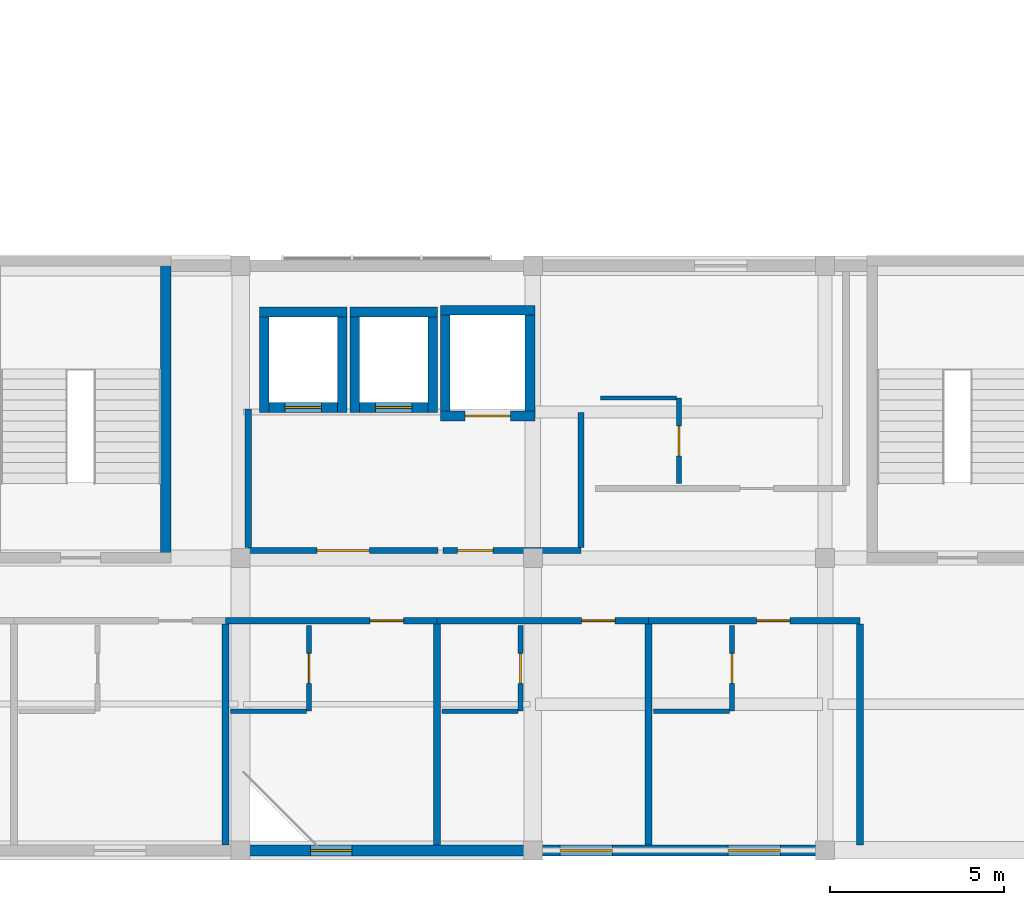
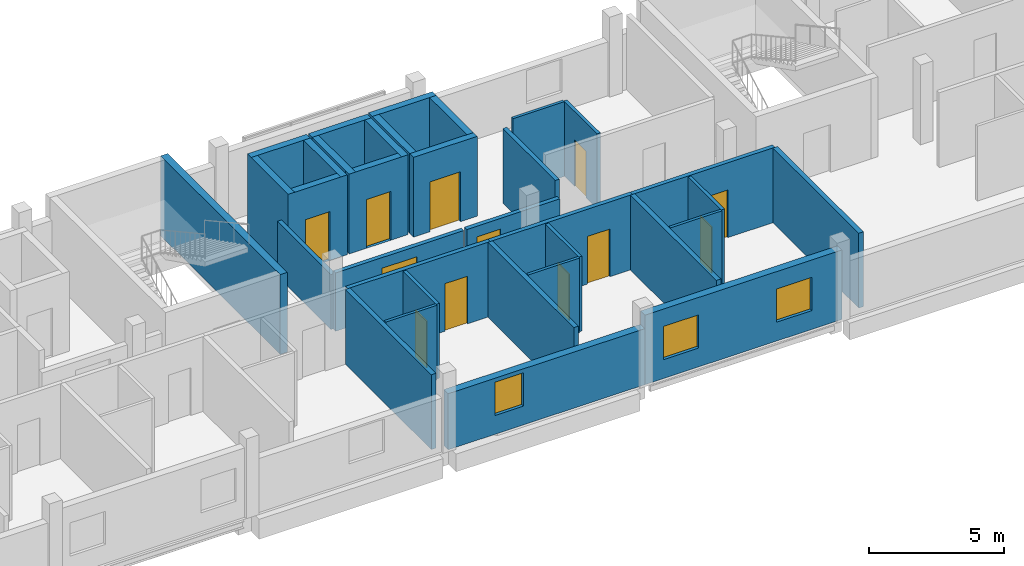
# One storey, part 15 of 20: 34 walls, 12 doors, 3 windows, 15 openings.
"""IFC4 building model written with IfcOpenShell, lengths in metres."""

import ifcopenshell
import ifcopenshell.guid

model = None  # the IFC model being written
_history = None  # IfcOwnerHistory: only IFC2X3 demands one
_inside = {}  # id of a spatial element -> (the spatial element, [elements in it])
_under = {}  # id of a project, library or spatial element -> (it, [spatial elements below it])
_declared = {}  # id of a project -> (the project, [libraries it declares])
_typed = {}  # id of a type object -> (the type object, [elements of that type])
_made_of = {}  # id of a material, layer set ... -> (it, [elements and type objects made of it])


def new_model(schema):
    """Start an empty IFC model of exactly this schema.

    Asked for "IFC4X3", IfcOpenShell would pick the latest addendum, in which some entities
    have other attributes; the version numbers below select the first issue.
    IFC2X3 requires an IfcOwnerHistory on every rooted entity: one is made here for all.
    """
    global model, _history
    if schema == "IFC4X3":
        model = ifcopenshell.file(schema_version=(4, 3, 0, 0))
    else:
        model = ifcopenshell.file(schema=schema)
    _inside.clear()
    _under.clear()
    _declared.clear()
    _typed.clear()
    _made_of.clear()
    _history = None
    if model.schema == "IFC2X3":
        org = make("IfcOrganization", Name="unknown")
        user = make(
            "IfcPersonAndOrganization",
            ThePerson=make("IfcPerson", FamilyName="unknown"),
            TheOrganization=org,
        )
        app = make(
            "IfcApplication",
            ApplicationDeveloper=org,
            Version="unknown",
            ApplicationFullName="unknown",
            ApplicationIdentifier="unknown",
        )
        _history = make(
            "IfcOwnerHistory",
            OwningUser=user,
            OwningApplication=app,
            ChangeAction="ADDED",
            CreationDate=0,
        )
    return model


def make(cls, **values):
    """One entity of the class cls with the attributes given. An attribute that is None is left unset."""
    return model.create_entity(
        cls, **{name: value for name, value in values.items() if value is not None}
    )


def rooted(cls, **values):
    """An entity with a GlobalId (a new one), such as an element, a storey or a relation."""
    return make(cls, GlobalId=ifcopenshell.guid.new(), OwnerHistory=_history, **values)


def si_unit(unit_type, name, prefix=None):
    """IfcSIUnit, for example si_unit("LENGTHUNIT", "METRE", prefix="MILLI")."""
    return make("IfcSIUnit", UnitType=unit_type, Prefix=prefix, Name=name)


def derived_unit(unit_type, elements):
    """IfcDerivedUnit: a product of units, each with its exponent."""
    return make(
        "IfcDerivedUnit",
        Elements=[
            make("IfcDerivedUnitElement", Unit=unit, Exponent=power)
            for unit, power in elements
        ],
        UnitType=unit_type,
    )


def assignment(units):
    """IfcUnitAssignment: the units of a project."""
    return None if units is None else make("IfcUnitAssignment", Units=units)


def point(xyz):
    """IfcCartesianPoint."""
    return None if xyz is None else make("IfcCartesianPoint", Coordinates=xyz)


def direction(xyz):
    """IfcDirection."""
    return None if xyz is None else make("IfcDirection", DirectionRatios=xyz)


def frame(location, z_axis=None, x_axis=None):
    """IfcAxis2Placement3D, a coordinate frame: its origin and axes. An axis left out is left unset."""
    return make(
        "IfcAxis2Placement3D",
        Location=point(location),
        Axis=direction(z_axis),
        RefDirection=direction(x_axis),
    )


def frame_2d(location, x_axis=None):
    """IfcAxis2Placement2D, a coordinate frame in the plane: its origin and x axis."""
    return make(
        "IfcAxis2Placement2D", Location=point(location), RefDirection=direction(x_axis)
    )


def origin():
    """The frame at (0, 0, 0) with its axes left unset."""
    return frame((0.0, 0.0, 0.0))


def place(relative_to, where):
    """IfcLocalPlacement: puts the frame where relative to a parent placement (None: the world)."""
    return make(
        "IfcLocalPlacement", PlacementRelTo=relative_to, RelativePlacement=where
    )


def context(
    kind, dimensions, precision=None, world=None, true_north=None, identifier=None
):
    """IfcGeometricRepresentationContext, for example the 3D "Model" context."""
    return make(
        "IfcGeometricRepresentationContext",
        ContextIdentifier=identifier,
        ContextType=kind,
        CoordinateSpaceDimension=dimensions,
        Precision=precision,
        WorldCoordinateSystem=world,
        TrueNorth=true_north,
    )


def subcontext(parent, identifier, kind, view, scale=None):
    """IfcGeometricRepresentationSubContext, for example "Body" below "Model"."""
    return make(
        "IfcGeometricRepresentationSubContext",
        ContextIdentifier=identifier,
        ContextType=kind,
        ParentContext=parent,
        TargetScale=scale,
        TargetView=view,
    )


def project(units=None, contexts=None):
    """IfcProject with its units and contexts."""
    return rooted(
        "IfcProject",
        Name="project",
        RepresentationContexts=contexts,
        UnitsInContext=assignment(units),
    )


def spatial(cls, under=None, at=None, **own):
    """A site, building, storey or space (cls), placed at a placement, below another one or the project."""
    s = rooted(cls, ObjectPlacement=at, **own)
    if under is not None:
        _under.setdefault(under.id(), (under, []))[1].append(s)
    return s


def profile(cls, at=None, kind="AREA", **sizes):
    """A parametric profile (cls). Its sizes go by their IFC names, for example OverallWidth=200.0."""
    return make(cls, ProfileType=kind, Position=at, **sizes)


def rectangle(**sizes):
    """IfcRectangleProfileDef."""
    return profile("IfcRectangleProfileDef", **sizes)


def extrude(swept, where, along, depth):
    """IfcExtrudedAreaSolid: the profile swept, set in the frame where, extruded along a direction by depth."""
    return make(
        "IfcExtrudedAreaSolid",
        SweptArea=swept,
        Position=where,
        ExtrudedDirection=direction(along),
        Depth=depth,
    )


def shape(context_of_items, identifier, shape_type, items):
    """IfcShapeRepresentation: the items that make up one representation, for example the "Body"."""
    return make(
        "IfcShapeRepresentation",
        ContextOfItems=context_of_items,
        RepresentationIdentifier=identifier,
        RepresentationType=shape_type,
        Items=items,
    )


def material(Name=None, Category=None):
    """IfcMaterial."""
    return make("IfcMaterial", Name=Name, Category=Category)


def layer(
    of_material, thickness, ventilated=None, Name=None, Category=None, Priority=None
):
    """IfcMaterialLayer: one layer of a wall or slab, of a material (None: an air gap)."""
    return make(
        "IfcMaterialLayer",
        Material=of_material,
        LayerThickness=thickness,
        IsVentilated=ventilated,
        Name=Name,
        Category=Category,
        Priority=Priority,
    )


def layer_set(layers, Name=None):
    """IfcMaterialLayerSet."""
    return make("IfcMaterialLayerSet", MaterialLayers=layers, LayerSetName=Name)


def made_of(thing, what):
    """Note that an element or type object is made of a material, layer set ...; save() writes the relation."""
    if what is not None:
        _made_of.setdefault(what.id(), (what, []))[1].append(thing)
    return thing


def type_object(cls, material=None, **own):
    """A type object (cls), such as IfcWallType, which elements share."""
    return made_of(rooted(cls, **own), material)


def element(
    cls,
    number,
    at=None,
    inside=None,
    cuts=None,
    type_object=None,
    material=None,
    context=None,
    identifier="Body",
    shape_type=None,
    held_by="IfcProductDefinitionShape",
    body=None,
    shapes=None,
    **own,
):
    """One element of the class cls, such as IfcWall. Its Tag is "e" and its number.

    at: its placement. inside: the storey or other place that contains it. cuts: it is an
    opening in that element (IfcRelVoidsElement). A single representation is given by context,
    identifier, shape_type and body (its items); several are given by shapes. held_by: the class
    of the entity that holds the representations. save() writes the other relations.
    """
    e = rooted(cls, Tag="e%d" % number, ObjectPlacement=at, **own)
    if body is not None:
        shapes = [shape(context, identifier, shape_type, body)]
    if shapes is not None:
        e.Representation = make(held_by, Representations=shapes)
    if inside is not None:
        _inside.setdefault(inside.id(), (inside, []))[1].append(e)
    if cuts is not None:
        rooted(
            "IfcRelVoidsElement", RelatingBuildingElement=cuts, RelatedOpeningElement=e
        )
    if type_object is not None:
        _typed.setdefault(type_object.id(), (type_object, []))[1].append(e)
    return made_of(e, material)


def fill(opening, filler):
    """IfcRelFillsElement: the door or window that sits in an opening."""
    return rooted(
        "IfcRelFillsElement",
        RelatingOpeningElement=opening,
        RelatedBuildingElement=filler,
    )


def aggregate(whole, parts):
    """IfcRelAggregates: a whole, such as a stair, and the parts it consists of."""
    return rooted("IfcRelAggregates", RelatingObject=whole, RelatedObjects=parts)


def save(model, path):
    """Write the relations noted so far, then the file.

    IfcRelAggregates (storeys below a building ...), IfcRelContainedInSpatialStructure (elements
    in a storey), IfcRelDefinesByType, IfcRelAssociatesMaterial and IfcRelDeclares: one each for
    every whole, place, type object, material and project.
    """
    for whole, parts in _under.values():
        aggregate(whole, parts)
    for where, things in _inside.values():
        rooted(
            "IfcRelContainedInSpatialStructure",
            RelatedElements=things,
            RelatingStructure=where,
        )
    for kind, things in _typed.values():
        rooted("IfcRelDefinesByType", RelatedObjects=things, RelatingType=kind)
    for what, things in _made_of.values():
        rooted("IfcRelAssociatesMaterial", RelatedObjects=things, RelatingMaterial=what)
    for by, libraries in _declared.values():
        rooted("IfcRelDeclares", RelatingContext=by, RelatedDefinitions=libraries)
    model.write(path)


model = new_model("IFC4")

# Units and contexts
model_context = context("Model", 3, precision=1e-05, world=origin(), true_north=direction((0.0, 1.0)))
body_context = subcontext(model_context, "Body", "Model", "MODEL_VIEW")
ifc_project = project(units=[si_unit("LENGTHUNIT", "METRE"), si_unit("AREAUNIT", "SQUARE_METRE"), si_unit("VOLUMEUNIT", "CUBIC_METRE"), si_unit("PLANEANGLEUNIT", "RADIAN"), si_unit("MASSUNIT", "GRAM", prefix="KILO"), derived_unit("THERMALTRANSMITTANCEUNIT", [(si_unit("POWERUNIT", "WATT"), 1), (si_unit("LENGTHUNIT", "METRE"), -2), (si_unit("THERMODYNAMICTEMPERATUREUNIT", "KELVIN"), -1)])], contexts=[model_context])

# Site, building, storey
site_placement = place(None, origin())
site = spatial("IfcSite", under=ifc_project, at=site_placement, CompositionType="ELEMENT")
building_placement = place(site_placement, origin())
building = spatial("IfcBuilding", under=site, at=building_placement, Name="Barrovel Congress Hotel", CompositionType="ELEMENT")
storey_placement = place(building_placement, frame((0.0, 0.0, 36.300048828125)))
storey = spatial("IfcBuildingStorey", under=building, at=storey_placement, Name="L09", CompositionType="ELEMENT", Elevation=36.300048828125)

# Wall, opening, window
ifc_material_1 = material(Name="Fired Clay Brick Masonry", Category="masonry")
ifc_layer_1 = layer(ifc_material_1, 0.320068359375)
ifc_layer_set_1 = layer_set([ifc_layer_1], Name="Fired Clay Brick Masonry")
wall_type_1 = type_object("IfcWallType", Name="EW-BRK320", PredefinedType="STANDARD", material=ifc_layer_set_1)
wall_1_placement = place(storey_placement, frame((84.0, 4.199951171875, 0.0), z_axis=(0.0, 0.0, 1.0), x_axis=(1.0, 0.0, 0.0)))
wall_1 = element("IfcWall", 1, at=wall_1_placement, inside=storey, type_object=wall_type_1, Name="EW:L09:HS-S:P07", PredefinedType="STANDARD", context=body_context, shape_type="SweptSolid", body=[
    extrude(rectangle(XDim=8.39990234375, YDim=0.320068359375, at=frame_2d((4.199951171875, 0.0))), origin(), (0.0, 0.0, 1.0), 2.530029296875),
])
opening_1_placement = place(wall_1_placement, frame((2.0078125, 0.0, 0.85009765625)))
opening_1 = element("IfcOpeningElement", 2, at=opening_1_placement, cuts=wall_1, Name="Opening WN-06", PredefinedType="OPENING", context=body_context, shape_type="SweptSolid", body=[
    extrude(rectangle(XDim=1.199951171875, YDim=1.5, at=frame_2d((0.60009765625, 0.75))), frame((0.0, 0.169921875, 0.0), z_axis=(0.0, -1.0, 0.0), x_axis=(1.0, 0.0, 0.0)), (0.0, 0.0, 1.0), 0.340087890625),
])
ifc_material_2 = material(Name="Double Low-E Insulated Glazing", Category="glass")
window_type_1 = type_object("IfcWindowType", Name="WIN-WN-06", PartitioningType="SINGLE_PANEL", PredefinedType="WINDOW", material=ifc_material_2)
window_1_placement = place(opening_1_placement, origin())
window_1 = element("IfcWindow", 3, at=window_1_placement, inside=storey, type_object=window_type_1, Name="WIN:L09:U12", OverallHeight=1.5, OverallWidth=1.199951171875, PartitioningType="SINGLE_PANEL", PredefinedType="WINDOW", context=body_context, shape_type="SweptSolid", body=[
    extrude(rectangle(XDim=1.199951171875, YDim=1.5, at=frame_2d((0.60009765625, 0.75))), frame((0.0, 0.030029296875, 0.0), z_axis=(0.0, -1.0, 0.0), x_axis=(1.0, 0.0, 0.0)), (0.0, 0.0, 1.0), 0.06005859375),
])
fill(opening_1, window_1)

# Wall, openings, windows
wall_2_placement = place(storey_placement, frame((92.39990234375, 4.199951171875, 0.0), z_axis=(0.0, 0.0, 1.0), x_axis=(1.0, 0.0, 0.0)))
wall_2 = element("IfcWall", 4, at=wall_2_placement, inside=storey, type_object=wall_type_1, Name="EW:L09:HS-S:P08", PredefinedType="STANDARD", context=body_context, shape_type="SweptSolid", body=[
    extrude(rectangle(XDim=8.400146484375, YDim=0.320068359375, at=frame_2d((4.2001953125, 0.0))), origin(), (0.0, 0.0, 1.0), 3.133056640625),
])
opening_2_placement = place(wall_2_placement, frame((0.78466796875, 0.0, 0.85009765625)))
opening_2 = element("IfcOpeningElement", 5, at=opening_2_placement, cuts=wall_2, Name="Opening WN-07", PredefinedType="OPENING", context=body_context, shape_type="SweptSolid", body=[
    extrude(rectangle(XDim=1.5, YDim=1.5, at=frame_2d((0.75, 0.75))), frame((0.0, 0.169921875, 0.0), z_axis=(0.0, -1.0, 0.0), x_axis=(1.0, 0.0, 0.0)), (0.0, 0.0, 1.0), 0.340087890625),
])
opening_3_placement = place(wall_2_placement, frame((5.611572265625, 0.0, 0.85009765625)))
opening_3 = element("IfcOpeningElement", 6, at=opening_3_placement, cuts=wall_2, Name="Opening WN-07", PredefinedType="OPENING", context=body_context, shape_type="SweptSolid", body=[
    extrude(rectangle(XDim=1.5, YDim=1.5, at=frame_2d((0.75, 0.75))), frame((0.0, 0.169921875, 0.0), z_axis=(0.0, -1.0, 0.0), x_axis=(1.0, 0.0, 0.0)), (0.0, 0.0, 1.0), 0.340087890625),
])
window_type_2 = type_object("IfcWindowType", Name="WIN-WN-07", PartitioningType="SINGLE_PANEL", PredefinedType="WINDOW", material=ifc_material_2)
window_2_placement = place(opening_2_placement, origin())
window_2 = element("IfcWindow", 7, at=window_2_placement, inside=storey, type_object=window_type_2, Name="WIN:L09:U13", OverallHeight=1.5, OverallWidth=1.5, PartitioningType="SINGLE_PANEL", PredefinedType="WINDOW", context=body_context, shape_type="SweptSolid", body=[
    extrude(rectangle(XDim=1.5, YDim=1.5, at=frame_2d((0.75, 0.75))), frame((0.0, 0.030029296875, 0.0), z_axis=(0.0, -1.0, 0.0), x_axis=(1.0, 0.0, 0.0)), (0.0, 0.0, 1.0), 0.06005859375),
])
fill(opening_2, window_2)
window_3_placement = place(opening_3_placement, origin())
window_3 = element("IfcWindow", 8, at=window_3_placement, inside=storey, type_object=window_type_2, Name="WIN:L09:U14", OverallHeight=1.5, OverallWidth=1.5, PartitioningType="SINGLE_PANEL", PredefinedType="WINDOW", context=body_context, shape_type="SweptSolid", body=[
    extrude(rectangle(XDim=1.5, YDim=1.5, at=frame_2d((0.75, 0.75))), frame((0.0, 0.030029296875, 0.0), z_axis=(0.0, -1.0, 0.0), x_axis=(1.0, 0.0, 0.0)), (0.0, 0.0, 1.0), 0.06005859375),
])
fill(opening_3, window_3)

# Wall, opening, door
ifc_material_3 = material(Name="Gypsum Acoustic Stud", Category="gypsum")
ifc_layer_2 = layer(ifc_material_3, 0.179931640625)
ifc_layer_set_2 = layer_set([ifc_layer_2], Name="Gypsum Acoustic Stud")
wall_type_2 = type_object("IfcWallType", Name="PW-ACU-180", PredefinedType="PARTITIONING", material=ifc_layer_set_2)
wall_3_placement = place(storey_placement, frame((83.569091796875, 10.800048828125, 0.0), z_axis=(0.0, 0.0, 1.0), x_axis=(1.0, 0.0, 0.0)))
wall_3 = element("IfcWall", 9, at=wall_3_placement, inside=storey, type_object=wall_type_2, Name="PW:L09:U12:COR", PredefinedType="PARTITIONING", context=body_context, shape_type="SweptSolid", body=[
    extrude(rectangle(XDim=6.0771484375, YDim=0.179931640625, at=frame_2d((3.03857421875, 0.0))), origin(), (0.0, 0.0, 1.0), 3.375),
])
opening_4_placement = place(wall_3_placement, frame((4.15478515625, 0.0, 0.0)))
opening_4 = element("IfcOpeningElement", 10, at=opening_4_placement, cuts=wall_3, Name="Opening ID-HTL", PredefinedType="OPENING", context=body_context, shape_type="SweptSolid", body=[
    extrude(rectangle(XDim=0.9599609375, YDim=2.14990234375, at=frame_2d((0.47998046875, 1.074951171875))), frame((0.0, 0.10009765625, 0.0), z_axis=(0.0, -1.0, 0.0), x_axis=(1.0, 0.0, 0.0)), (0.0, 0.0, 1.0), 0.199951171875),
])
ifc_material_4 = material(Name="Solid Oak Acoustic Timber Door", Category="wood")
door_type_1 = type_object("IfcDoorType", Name="IDR-ID-HTL", OperationType="NOTDEFINED", PredefinedType="DOOR", material=ifc_material_4)
door_1_placement = place(opening_4_placement, origin())
door_1 = element("IfcDoor", 11, at=door_1_placement, inside=storey, type_object=door_type_1, Name="DR:L09:U12:ENT", OperationType="SINGLE_SWING_RIGHT", OverallHeight=2.14990234375, OverallWidth=0.9599609375, PredefinedType="DOOR", context=body_context, shape_type="SweptSolid", body=[
    extrude(rectangle(XDim=0.9599609375, YDim=2.14990234375, at=frame_2d((0.47998046875, 1.074951171875))), frame((0.0, 0.02490234375, 0.0), z_axis=(0.0, -1.0, 0.0), x_axis=(1.0, 0.0, 0.0)), (0.0, 0.0, 1.0), 0.050048828125),
])
fill(opening_4, door_1)

wall_4_placement = place(storey_placement, frame((89.646240234375, 10.800048828125, 0.0), z_axis=(0.0, 0.0, 1.0), x_axis=(1.0, 0.0, 0.0)))
wall_4 = element("IfcWall", 12, at=wall_4_placement, inside=storey, type_object=wall_type_2, Name="PW:L09:U13:COR", PredefinedType="PARTITIONING", context=body_context, shape_type="SweptSolid", body=[
    extrude(rectangle(XDim=6.076904296875, YDim=0.179931640625, at=frame_2d((3.03857421875, 0.0))), origin(), (0.0, 0.0, 1.0), 3.375),
])
opening_5_placement = place(wall_4_placement, frame((4.15478515625, 0.0, 0.0)))
opening_5 = element("IfcOpeningElement", 13, at=opening_5_placement, cuts=wall_4, Name="Opening ID-HTL", PredefinedType="OPENING", context=body_context, shape_type="SweptSolid", body=[
    extrude(rectangle(XDim=0.9599609375, YDim=2.14990234375, at=frame_2d((0.47998046875, 1.074951171875))), frame((0.0, 0.10009765625, 0.0), z_axis=(0.0, -1.0, 0.0), x_axis=(1.0, 0.0, 0.0)), (0.0, 0.0, 1.0), 0.199951171875),
])
door_2_placement = place(opening_5_placement, origin())
door_2 = element("IfcDoor", 14, at=door_2_placement, inside=storey, type_object=door_type_1, Name="DR:L09:U13:ENT", OperationType="SINGLE_SWING_RIGHT", OverallHeight=2.14990234375, OverallWidth=0.9599609375, PredefinedType="DOOR", context=body_context, shape_type="SweptSolid", body=[
    extrude(rectangle(XDim=0.9599609375, YDim=2.14990234375, at=frame_2d((0.47998046875, 1.074951171875))), frame((0.0, 0.02490234375, 0.0), z_axis=(0.0, -1.0, 0.0), x_axis=(1.0, 0.0, 0.0)), (0.0, 0.0, 1.0), 0.050048828125),
])
fill(opening_5, door_2)

wall_5_placement = place(storey_placement, frame((95.72314453125, 10.800048828125, 0.0), z_axis=(0.0, 0.0, 1.0), x_axis=(1.0, 0.0, 0.0)))
wall_5 = element("IfcWall", 15, at=wall_5_placement, inside=storey, type_object=wall_type_2, Name="PW:L09:U14:COR", PredefinedType="PARTITIONING", context=body_context, shape_type="SweptSolid", body=[
    extrude(rectangle(XDim=6.076904296875, YDim=0.179931640625, at=frame_2d((3.03857421875, 0.0))), origin(), (0.0, 0.0, 1.0), 3.375),
])
opening_6_placement = place(wall_5_placement, frame((3.104736328125, 0.0, 0.0)))
opening_6 = element("IfcOpeningElement", 16, at=opening_6_placement, cuts=wall_5, Name="Opening ID-HTL", PredefinedType="OPENING", context=body_context, shape_type="SweptSolid", body=[
    extrude(rectangle(XDim=0.9599609375, YDim=2.14990234375, at=frame_2d((0.47998046875, 1.074951171875))), frame((0.0, 0.10009765625, 0.0), z_axis=(0.0, -1.0, 0.0), x_axis=(1.0, 0.0, 0.0)), (0.0, 0.0, 1.0), 0.199951171875),
])
door_3_placement = place(opening_6_placement, origin())
door_3 = element("IfcDoor", 17, at=door_3_placement, inside=storey, type_object=door_type_1, Name="DR:L09:U14:ENT", OperationType="SINGLE_SWING_RIGHT", OverallHeight=2.14990234375, OverallWidth=0.9599609375, PredefinedType="DOOR", context=body_context, shape_type="SweptSolid", body=[
    extrude(rectangle(XDim=0.9599609375, YDim=2.14990234375, at=frame_2d((0.47998046875, 1.074951171875))), frame((0.0, 0.02490234375, 0.0), z_axis=(0.0, -1.0, 0.0), x_axis=(1.0, 0.0, 0.0)), (0.0, 0.0, 1.0), 0.050048828125),
])
fill(opening_6, door_3)

wall_6_placement = place(storey_placement, frame((84.219970703125, 12.820068359375, 0.0), z_axis=(0.0, 0.0, 1.0), x_axis=(1.0, 0.0, 0.0)))
wall_6 = element("IfcWall", 18, at=wall_6_placement, inside=storey, type_object=wall_type_2, Name="RW:SP:L09:LL-C2:S", PredefinedType="PARTITIONING", context=body_context, shape_type="SweptSolid", body=[
    extrude(rectangle(XDim=5.4599609375, YDim=0.179931640625, at=frame_2d((2.72998046875, 0.0))), origin(), (0.0, 0.0, 1.0), 2.6298828125),
])
opening_7_placement = place(wall_6_placement, frame((1.97998046875, 0.0, 0.0)))
opening_7 = element("IfcOpeningElement", 19, at=opening_7_placement, cuts=wall_6, Name="Opening ID-FFL", PredefinedType="OPENING", context=body_context, shape_type="SweptSolid", body=[
    extrude(rectangle(XDim=1.5, YDim=2.14990234375, at=frame_2d((0.75, 1.074951171875))), frame((0.0, 0.10009765625, 0.0), z_axis=(0.0, -1.0, 0.0), x_axis=(1.0, 0.0, 0.0)), (0.0, 0.0, 1.0), 0.199951171875),
])
ifc_material_5 = material(Name="Painted Hollow-Metal Steel Door", Category="steel")
door_type_2 = type_object("IfcDoorType", Name="IDR-ID-FFL", OperationType="NOTDEFINED", PredefinedType="DOOR", material=ifc_material_5)
door_4_placement = place(opening_7_placement, origin())
door_4 = element("IfcDoor", 20, at=door_4_placement, inside=storey, type_object=door_type_2, Name="RD:SP:L09:LL-C2", OperationType="DOUBLE_DOOR_SINGLE_SWING", OverallHeight=2.14990234375, OverallWidth=1.5, PredefinedType="DOOR", context=body_context, shape_type="SweptSolid", body=[
    extrude(rectangle(XDim=1.5, YDim=2.14990234375, at=frame_2d((0.75, 1.074951171875))), frame((0.0, 0.02490234375, 0.0), z_axis=(0.0, -1.0, 0.0), x_axis=(1.0, 0.0, 0.0)), (0.0, 0.0, 1.0), 0.050048828125),
])
fill(opening_7, door_4)

# Wall
wall_7_placement = place(storey_placement, frame((84.219970703125, 12.909912109375, 0.0), z_axis=(0.0, 0.0, 1.0), x_axis=(0.0, 1.0, 0.0)))
element("IfcWall", 21, at=wall_7_placement, inside=storey, type_object=wall_type_2, Name="RW:SP:L09:LL-C2:W", PredefinedType="PARTITIONING", context=body_context, shape_type="SweptSolid", body=[
    extrude(rectangle(XDim=3.969970703125, YDim=0.179931640625, at=frame_2d((1.98486328125, 0.0))), origin(), (0.0, 0.0, 1.0), 2.47998046875),
])

# Wall, opening, door
wall_8_placement = place(storey_placement, frame((89.820068359375, 12.820068359375, 0.0), z_axis=(0.0, 0.0, 1.0), x_axis=(1.0, 0.0, 0.0)))
wall_8 = element("IfcWall", 22, at=wall_8_placement, inside=storey, type_object=wall_type_2, Name="RW:SP:L09:LL-SL2:S", PredefinedType="PARTITIONING", context=body_context, shape_type="SweptSolid", body=[
    extrude(rectangle(XDim=3.9599609375, YDim=0.179931640625, at=frame_2d((1.97998046875, 0.0))), origin(), (0.0, 0.0, 1.0), 2.6298828125),
])
opening_8_placement = place(wall_8_placement, frame((0.419921875, 0.0, 0.0)))
opening_8 = element("IfcOpeningElement", 23, at=opening_8_placement, cuts=wall_8, Name="Opening ID-ACC", PredefinedType="OPENING", context=body_context, shape_type="SweptSolid", body=[
    extrude(rectangle(XDim=1.02001953125, YDim=2.14990234375, at=frame_2d((0.510009765625, 1.074951171875))), frame((0.0, 0.10009765625, 0.0), z_axis=(0.0, -1.0, 0.0), x_axis=(1.0, 0.0, 0.0)), (0.0, 0.0, 1.0), 0.199951171875),
])
door_type_3 = type_object("IfcDoorType", Name="IDR-ID-ACC", OperationType="NOTDEFINED", PredefinedType="DOOR", material=ifc_material_4)
door_5_placement = place(opening_8_placement, origin())
door_5 = element("IfcDoor", 24, at=door_5_placement, inside=storey, type_object=door_type_3, Name="RD:SP:L09:LL-SL2", OperationType="SINGLE_SWING_RIGHT", OverallHeight=2.14990234375, OverallWidth=1.02001953125, PredefinedType="DOOR", context=body_context, shape_type="SweptSolid", body=[
    extrude(rectangle(XDim=1.02001953125, YDim=2.14990234375, at=frame_2d((0.510009765625, 1.074951171875))), frame((0.0, 0.02490234375, 0.0), z_axis=(0.0, -1.0, 0.0), x_axis=(1.0, 0.0, 0.0)), (0.0, 0.0, 1.0), 0.050048828125),
])
fill(opening_8, door_5)

# Walls
wall_9_placement = place(storey_placement, frame((93.780029296875, 12.909912109375, 0.0), z_axis=(0.0, 0.0, 1.0), x_axis=(0.0, 1.0, 0.0)))
element("IfcWall", 25, at=wall_9_placement, inside=storey, type_object=wall_type_2, Name="RW:SP:L09:LL-SL2:E", PredefinedType="PARTITIONING", context=body_context, shape_type="SweptSolid", body=[
    extrude(rectangle(XDim=3.8701171875, YDim=0.179931640625, at=frame_2d((1.93505859375, 0.0))), origin(), (0.0, 0.0, 1.0), 3.375),
])
ifc_layer_3 = layer(ifc_material_3, 0.1201171875)
ifc_layer_set_3 = layer_set([ifc_layer_3], Name="Gypsum Acoustic Stud")
wall_type_3 = type_object("IfcWallType", Name="PW-INT-120", PredefinedType="PARTITIONING", material=ifc_layer_set_3)
wall_10_placement = place(storey_placement, frame((83.709228515625, 8.199951171875, 0.0), z_axis=(0.0, 0.0, 1.0), x_axis=(1.0, 0.0, 0.0)))
element("IfcWall", 26, at=wall_10_placement, inside=storey, type_object=wall_type_3, Name="PW:L09:U12:B2", PredefinedType="PARTITIONING", context=body_context, shape_type="SweptSolid", body=[
    extrude(rectangle(XDim=2.18994140625, YDim=0.1201171875, at=frame_2d((1.094970703125, 0.0))), origin(), (0.0, 0.0, 1.0), 3.375),
])
wall_11_placement = place(storey_placement, frame((89.7861328125, 8.199951171875, 0.0), z_axis=(0.0, 0.0, 1.0), x_axis=(1.0, 0.0, 0.0)))
element("IfcWall", 27, at=wall_11_placement, inside=storey, type_object=wall_type_3, Name="PW:L09:U13:B2", PredefinedType="PARTITIONING", context=body_context, shape_type="SweptSolid", body=[
    extrude(rectangle(XDim=2.190185546875, YDim=0.1201171875, at=frame_2d((1.09521484375, 0.0))), origin(), (0.0, 0.0, 1.0), 3.375),
])
for number, where, z_axis, x_axis, name in (
    (28, (95.863037109375, 8.199951171875, 0.0), (0.0, 0.0, 1.0), (1.0, 0.0, 0.0), "PW:L09:U14:B2"),
    (29, (94.340087890625, 17.199951171875, 0.0), (0.0, 0.0, 1.0), (1.0, 0.0, 0.0), "PW:L09:U20:B2"),
):
    element("IfcWall", number, at=place(storey_placement, frame(where, z_axis=z_axis, x_axis=x_axis)), inside=storey, type_object=wall_type_3, Name=name, PredefinedType="PARTITIONING", context=body_context, shape_type="SweptSolid", body=[
        extrude(rectangle(XDim=2.18994140625, YDim=0.1201171875, at=frame_2d((1.094970703125, 0.0))), origin(), (0.0, 0.0, 1.0), 3.375),
    ])
ifc_layer_4 = layer(ifc_material_1, 0.199951171875)
ifc_layer_set_4 = layer_set([ifc_layer_4], Name="Fired Clay Brick Masonry")
wall_type_4 = type_object("IfcWallType", Name="PW-MAS-200", PredefinedType="PARTITIONING", material=ifc_layer_set_4)
for number, where, z_axis, x_axis, name in (
    (30, (83.569091796875, 4.360107421875, 0.0), (0.0, 0.0, 1.0), (0.0, 1.0, 0.0), "PW:L09:U11:DEM"),
    (31, (89.646240234375, 4.360107421875, 0.0), (0.0, 0.0, 1.0), (0.0, 1.0, 0.0), "PW:L09:U12:DEM"),
    (32, (95.72314453125, 4.360107421875, 0.0), (0.0, 0.0, 1.0), (0.0, 1.0, 0.0), "PW:L09:U13:DEM"),
    (33, (101.800048828125, 4.360107421875, 0.0), (0.0, 0.0, 1.0), (0.0, 1.0, 0.0), "PW:L09:U14:DEM"),
):
    element("IfcWall", number, at=place(storey_placement, frame(where, z_axis=z_axis, x_axis=x_axis)), inside=storey, type_object=wall_type_4, Name=name, PredefinedType="PARTITIONING", context=body_context, shape_type="SweptSolid", body=[
        extrude(rectangle(XDim=6.349853515625, YDim=0.199951171875, at=frame_2d((3.1748046875, 0.0))), origin(), (0.0, 0.0, 1.0), 3.375),
    ])

# Wall, opening, door
ifc_material_6 = material(Name="Gypsum Moisture Board", Category="gypsum")
ifc_layer_5 = layer(ifc_material_6, 0.139892578125)
ifc_layer_set_5 = layer_set([ifc_layer_5], Name="Gypsum Moisture Board")
wall_type_5 = type_object("IfcWallType", Name="PW-WET-140", PredefinedType="PARTITIONING", material=ifc_layer_set_5)
wall_12_placement = place(storey_placement, frame((85.96923828125, 8.199951171875, 0.0), z_axis=(0.0, 0.0, 1.0), x_axis=(0.0, 1.0, 0.0)))
wall_12 = element("IfcWall", 34, at=wall_12_placement, inside=storey, type_object=wall_type_5, Name="PW:L09:U12:B1", PredefinedType="PARTITIONING", context=body_context, shape_type="SweptSolid", body=[
    extrude(rectangle(XDim=2.4599609375, YDim=0.139892578125, at=frame_2d((1.22998046875, 0.0))), origin(), (0.0, 0.0, 1.0), 3.375),
])
opening_9_placement = place(wall_12_placement, frame((0.800048828125, 0.0, 0.0)))
opening_9 = element("IfcOpeningElement", 35, at=opening_9_placement, cuts=wall_12, Name="Opening ID-ENS", PredefinedType="OPENING", context=body_context, shape_type="SweptSolid", body=[
    extrude(rectangle(XDim=0.860107421875, YDim=2.10009765625, at=frame_2d((0.43017578125, 1.050048828125))), frame((0.0, 0.080078125, 0.0), z_axis=(0.0, -1.0, 0.0), x_axis=(1.0, 0.0, 0.0)), (0.0, 0.0, 1.0), 0.159912109375),
])
ifc_material_7 = material(Name="Lacquered Timber Moisture Door", Category="wood")
door_type_4 = type_object("IfcDoorType", Name="IDR-ID-ENS", OperationType="NOTDEFINED", PredefinedType="DOOR", material=ifc_material_7)
door_6_placement = place(opening_9_placement, origin())
door_6 = element("IfcDoor", 36, at=door_6_placement, inside=storey, type_object=door_type_4, Name="DR:L09:U12:ENS", OperationType="SINGLE_SWING_LEFT", OverallHeight=2.10009765625, OverallWidth=0.860107421875, PredefinedType="DOOR", context=body_context, shape_type="SweptSolid", body=[
    extrude(rectangle(XDim=0.860107421875, YDim=2.10009765625, at=frame_2d((0.43017578125, 1.050048828125))), frame((0.0, 0.02490234375, 0.0), z_axis=(0.0, -1.0, 0.0), x_axis=(1.0, 0.0, 0.0)), (0.0, 0.0, 1.0), 0.050048828125),
])
fill(opening_9, door_6)

wall_13_placement = place(storey_placement, frame((92.046142578125, 8.199951171875, 0.0), z_axis=(0.0, 0.0, 1.0), x_axis=(0.0, 1.0, 0.0)))
wall_13 = element("IfcWall", 37, at=wall_13_placement, inside=storey, type_object=wall_type_5, Name="PW:L09:U13:B1", PredefinedType="PARTITIONING", context=body_context, shape_type="SweptSolid", body=[
    extrude(rectangle(XDim=2.4599609375, YDim=0.139892578125, at=frame_2d((1.22998046875, 0.0))), origin(), (0.0, 0.0, 1.0), 3.375),
])
opening_10_placement = place(wall_13_placement, frame((0.800048828125, 0.0, 0.0)))
opening_10 = element("IfcOpeningElement", 38, at=opening_10_placement, cuts=wall_13, Name="Opening ID-ENS", PredefinedType="OPENING", context=body_context, shape_type="SweptSolid", body=[
    extrude(rectangle(XDim=0.860107421875, YDim=2.10009765625, at=frame_2d((0.43017578125, 1.050048828125))), frame((0.0, 0.080078125, 0.0), z_axis=(0.0, -1.0, 0.0), x_axis=(1.0, 0.0, 0.0)), (0.0, 0.0, 1.0), 0.159912109375),
])
door_7_placement = place(opening_10_placement, origin())
door_7 = element("IfcDoor", 39, at=door_7_placement, inside=storey, type_object=door_type_4, Name="DR:L09:U13:ENS", OperationType="SINGLE_SWING_LEFT", OverallHeight=2.10009765625, OverallWidth=0.860107421875, PredefinedType="DOOR", context=body_context, shape_type="SweptSolid", body=[
    extrude(rectangle(XDim=0.860107421875, YDim=2.10009765625, at=frame_2d((0.43017578125, 1.050048828125))), frame((0.0, 0.02490234375, 0.0), z_axis=(0.0, -1.0, 0.0), x_axis=(1.0, 0.0, 0.0)), (0.0, 0.0, 1.0), 0.050048828125),
])
fill(opening_10, door_7)

wall_14_placement = place(storey_placement, frame((98.123046875, 8.199951171875, 0.0), z_axis=(0.0, 0.0, 1.0), x_axis=(0.0, 1.0, 0.0)))
wall_14 = element("IfcWall", 40, at=wall_14_placement, inside=storey, type_object=wall_type_5, Name="PW:L09:U14:B1", PredefinedType="PARTITIONING", context=body_context, shape_type="SweptSolid", body=[
    extrude(rectangle(XDim=2.4599609375, YDim=0.139892578125, at=frame_2d((1.22998046875, 0.0))), origin(), (0.0, 0.0, 1.0), 3.375),
])
opening_11_placement = place(wall_14_placement, frame((0.800048828125, 0.0, 0.0)))
opening_11 = element("IfcOpeningElement", 41, at=opening_11_placement, cuts=wall_14, Name="Opening ID-ENS", PredefinedType="OPENING", context=body_context, shape_type="SweptSolid", body=[
    extrude(rectangle(XDim=0.860107421875, YDim=2.10009765625, at=frame_2d((0.43017578125, 1.050048828125))), frame((0.0, 0.080078125, 0.0), z_axis=(0.0, -1.0, 0.0), x_axis=(1.0, 0.0, 0.0)), (0.0, 0.0, 1.0), 0.159912109375),
])
door_8_placement = place(opening_11_placement, origin())
door_8 = element("IfcDoor", 42, at=door_8_placement, inside=storey, type_object=door_type_4, Name="DR:L09:U14:ENS", OperationType="SINGLE_SWING_LEFT", OverallHeight=2.10009765625, OverallWidth=0.860107421875, PredefinedType="DOOR", context=body_context, shape_type="SweptSolid", body=[
    extrude(rectangle(XDim=0.860107421875, YDim=2.10009765625, at=frame_2d((0.43017578125, 1.050048828125))), frame((0.0, 0.02490234375, 0.0), z_axis=(0.0, -1.0, 0.0), x_axis=(1.0, 0.0, 0.0)), (0.0, 0.0, 1.0), 0.050048828125),
])
fill(opening_11, door_8)

wall_15_placement = place(storey_placement, frame((96.60009765625, 14.739990234375, 0.0), z_axis=(0.0, 0.0, 1.0), x_axis=(0.0, 1.0, 0.0)))
wall_15 = element("IfcWall", 43, at=wall_15_placement, inside=storey, type_object=wall_type_5, Name="PW:L09:U20:B1", PredefinedType="PARTITIONING", context=body_context, shape_type="SweptSolid", body=[
    extrude(rectangle(XDim=2.4599609375, YDim=0.139892578125, at=frame_2d((1.22998046875, 0.0))), origin(), (0.0, 0.0, 1.0), 3.375),
])
opening_12_placement = place(wall_15_placement, frame((0.800048828125, 0.0, 0.0)))
opening_12 = element("IfcOpeningElement", 44, at=opening_12_placement, cuts=wall_15, Name="Opening ID-ENS", PredefinedType="OPENING", context=body_context, shape_type="SweptSolid", body=[
    extrude(rectangle(XDim=0.860107421875, YDim=2.10009765625, at=frame_2d((0.43017578125, 1.050048828125))), frame((0.0, 0.080078125, 0.0), z_axis=(0.0, -1.0, 0.0), x_axis=(1.0, 0.0, 0.0)), (0.0, 0.0, 1.0), 0.159912109375),
])
door_9_placement = place(opening_12_placement, origin())
door_9 = element("IfcDoor", 45, at=door_9_placement, inside=storey, type_object=door_type_4, Name="DR:L09:U20:ENS", OperationType="SINGLE_SWING_LEFT", OverallHeight=2.10009765625, OverallWidth=0.860107421875, PredefinedType="DOOR", context=body_context, shape_type="SweptSolid", body=[
    extrude(rectangle(XDim=0.860107421875, YDim=2.10009765625, at=frame_2d((0.43017578125, 1.050048828125))), frame((0.0, 0.02490234375, 0.0), z_axis=(0.0, -1.0, 0.0), x_axis=(1.0, 0.0, 0.0)), (0.0, 0.0, 1.0), 0.050048828125),
])
fill(opening_12, door_9)

ifc_material_8 = material(Name="Concrete C40", Category="concrete")
ifc_layer_6 = layer(ifc_material_8, 0.280029296875)
ifc_layer_set_6 = layer_set([ifc_layer_6], Name="Concrete C40")
wall_type_6 = type_object("IfcWallType", Name="SW-C40-280", PredefinedType="SHEAR", material=ifc_layer_set_6)
wall_16_placement = place(storey_placement, frame((84.5400390625, 16.929931640625, 0.0), z_axis=(0.0, 0.0, 1.0), x_axis=(1.0, 0.0, 0.0)))
wall_16 = element("IfcWall", 46, at=wall_16_placement, inside=storey, type_object=wall_type_6, Name="LSH:PL-3:L09:S", PredefinedType="SHEAR", context=body_context, shape_type="SweptSolid", body=[
    extrude(rectangle(XDim=2.52001953125, YDim=0.280029296875, at=frame_2d((1.260009765625, 0.0))), origin(), (0.0, 0.0, 1.0), 3.599853515625),
])
opening_13_placement = place(wall_16_placement, frame((0.735107421875, 0.0, 0.0)))
opening_13 = element("IfcOpeningElement", 47, at=opening_13_placement, cuts=wall_16, Name="Opening LD-PAX", PredefinedType="OPENING", context=body_context, shape_type="SweptSolid", body=[
    extrude(rectangle(XDim=1.050048828125, YDim=2.199951171875, at=frame_2d((0.52490234375, 1.10009765625))), frame((0.0, 0.14990234375, 0.0), z_axis=(0.0, -1.0, 0.0), x_axis=(1.0, 0.0, 0.0)), (0.0, 0.0, 1.0), 0.300048828125),
])
ifc_material_9 = material(Name="Brushed Stainless Steel", Category="steel")
door_type_5 = type_object("IfcDoorType", Name="IDR-LD-PAX", OperationType="NOTDEFINED", PredefinedType="DOOR", material=ifc_material_9)
door_10_placement = place(opening_13_placement, origin())
door_10 = element("IfcDoor", 48, at=door_10_placement, inside=storey, type_object=door_type_5, Name="Lift Landing Door LD-PL-3-L09", OperationType="SLIDING_TO_LEFT", OverallHeight=2.199951171875, OverallWidth=1.050048828125, PredefinedType="DOOR", context=body_context, shape_type="SweptSolid", body=[
    extrude(rectangle(XDim=1.050048828125, YDim=2.199951171875, at=frame_2d((0.52490234375, 1.10009765625))), frame((0.0, 0.02490234375, 0.0), z_axis=(0.0, -1.0, 0.0), x_axis=(1.0, 0.0, 0.0)), (0.0, 0.0, 1.0), 0.050048828125),
])
fill(opening_13, door_10)

# Walls
wall_17_placement = place(storey_placement, frame((86.919921875, 16.7900390625, 0.0), z_axis=(0.0, 0.0, 1.0), x_axis=(0.0, 1.0, 0.0)))
element("IfcWall", 49, at=wall_17_placement, inside=storey, type_object=wall_type_6, Name="LSH:PL-3:L09:E", PredefinedType="SHEAR", context=body_context, shape_type="SweptSolid", body=[
    extrude(rectangle(XDim=3.02001953125, YDim=0.280029296875, at=frame_2d((1.510009765625, 0.0))), origin(), (0.0, 0.0, 1.0), 3.599853515625),
])
wall_18_placement = place(storey_placement, frame((87.06005859375, 19.669921875, 0.0), z_axis=(0.0, 0.0, 1.0), x_axis=(-1.0, 0.0, 0.0)))
element("IfcWall", 50, at=wall_18_placement, inside=storey, type_object=wall_type_6, Name="LSH:PL-3:L09:N", PredefinedType="SHEAR", context=body_context, shape_type="SweptSolid", body=[
    extrude(rectangle(XDim=2.52001953125, YDim=0.280029296875, at=frame_2d((1.260009765625, 0.0))), origin(), (0.0, 0.0, 1.0), 3.599853515625),
])
wall_19_placement = place(storey_placement, frame((84.679931640625, 19.81005859375, 0.0), z_axis=(0.0, 0.0, 1.0), x_axis=(0.0, -1.0, 0.0)))
element("IfcWall", 51, at=wall_19_placement, inside=storey, type_object=wall_type_6, Name="LSH:PL-3:L09:W", PredefinedType="SHEAR", context=body_context, shape_type="SweptSolid", body=[
    extrude(rectangle(XDim=3.02001953125, YDim=0.280029296875, at=frame_2d((1.510009765625, 0.0))), origin(), (0.0, 0.0, 1.0), 3.599853515625),
])

# Wall, opening, door
wall_20_placement = place(storey_placement, frame((87.139892578125, 16.929931640625, 0.0), z_axis=(0.0, 0.0, 1.0), x_axis=(1.0, 0.0, 0.0)))
wall_20 = element("IfcWall", 52, at=wall_20_placement, inside=storey, type_object=wall_type_6, Name="LSH:PL-4:L09:S", PredefinedType="SHEAR", context=body_context, shape_type="SweptSolid", body=[
    extrude(rectangle(XDim=2.52001953125, YDim=0.280029296875, at=frame_2d((1.260009765625, 0.0))), origin(), (0.0, 0.0, 1.0), 3.599853515625),
])
opening_14_placement = place(wall_20_placement, frame((0.735107421875, 0.0, 0.0)))
opening_14 = element("IfcOpeningElement", 53, at=opening_14_placement, cuts=wall_20, Name="Opening LD-PAX", PredefinedType="OPENING", context=body_context, shape_type="SweptSolid", body=[
    extrude(rectangle(XDim=1.050048828125, YDim=2.199951171875, at=frame_2d((0.52490234375, 1.10009765625))), frame((0.0, 0.14990234375, 0.0), z_axis=(0.0, -1.0, 0.0), x_axis=(1.0, 0.0, 0.0)), (0.0, 0.0, 1.0), 0.300048828125),
])
door_11_placement = place(opening_14_placement, origin())
door_11 = element("IfcDoor", 54, at=door_11_placement, inside=storey, type_object=door_type_5, Name="Lift Landing Door LD-PL-4-L09", OperationType="SLIDING_TO_LEFT", OverallHeight=2.199951171875, OverallWidth=1.050048828125, PredefinedType="DOOR", context=body_context, shape_type="SweptSolid", body=[
    extrude(rectangle(XDim=1.050048828125, YDim=2.199951171875, at=frame_2d((0.52490234375, 1.10009765625))), frame((0.0, 0.02490234375, 0.0), z_axis=(0.0, -1.0, 0.0), x_axis=(1.0, 0.0, 0.0)), (0.0, 0.0, 1.0), 0.050048828125),
])
fill(opening_14, door_11)

# Walls
wall_21_placement = place(storey_placement, frame((89.52001953125, 16.7900390625, 0.0), z_axis=(0.0, 0.0, 1.0), x_axis=(0.0, 1.0, 0.0)))
element("IfcWall", 55, at=wall_21_placement, inside=storey, type_object=wall_type_6, Name="LSH:PL-4:L09:E", PredefinedType="SHEAR", context=body_context, shape_type="SweptSolid", body=[
    extrude(rectangle(XDim=3.02001953125, YDim=0.280029296875, at=frame_2d((1.510009765625, 0.0))), origin(), (0.0, 0.0, 1.0), 3.599853515625),
])
wall_22_placement = place(storey_placement, frame((89.659912109375, 19.669921875, 0.0), z_axis=(0.0, 0.0, 1.0), x_axis=(-1.0, 0.0, 0.0)))
element("IfcWall", 56, at=wall_22_placement, inside=storey, type_object=wall_type_6, Name="LSH:PL-4:L09:N", PredefinedType="SHEAR", context=body_context, shape_type="SweptSolid", body=[
    extrude(rectangle(XDim=2.52001953125, YDim=0.280029296875, at=frame_2d((1.260009765625, 0.0))), origin(), (0.0, 0.0, 1.0), 3.599853515625),
])
wall_23_placement = place(storey_placement, frame((87.280029296875, 19.81005859375, 0.0), z_axis=(0.0, 0.0, 1.0), x_axis=(0.0, -1.0, 0.0)))
element("IfcWall", 57, at=wall_23_placement, inside=storey, type_object=wall_type_6, Name="LSH:PL-4:L09:W", PredefinedType="SHEAR", context=body_context, shape_type="SweptSolid", body=[
    extrude(rectangle(XDim=3.02001953125, YDim=0.280029296875, at=frame_2d((1.510009765625, 0.0))), origin(), (0.0, 0.0, 1.0), 3.599853515625),
])

# Wall, opening, door
wall_24_placement = place(storey_placement, frame((89.739990234375, 16.679931640625, 0.0), z_axis=(0.0, 0.0, 1.0), x_axis=(1.0, 0.0, 0.0)))
wall_24 = element("IfcWall", 58, at=wall_24_placement, inside=storey, type_object=wall_type_6, Name="LSH:SL-2:L09:S", PredefinedType="SHEAR", context=body_context, shape_type="SweptSolid", body=[
    extrude(rectangle(XDim=2.719970703125, YDim=0.280029296875, at=frame_2d((1.35986328125, 0.0))), origin(), (0.0, 0.0, 1.0), 3.599853515625),
])
opening_15_placement = place(wall_24_placement, frame((0.7099609375, 0.0, 0.0)))
opening_15 = element("IfcOpeningElement", 59, at=opening_15_placement, cuts=wall_24, Name="Opening LD-SRV", PredefinedType="OPENING", context=body_context, shape_type="SweptSolid", body=[
    extrude(rectangle(XDim=1.300048828125, YDim=2.25, at=frame_2d((0.64990234375, 1.125))), frame((0.0, 0.14990234375, 0.0), z_axis=(0.0, -1.0, 0.0), x_axis=(1.0, 0.0, 0.0)), (0.0, 0.0, 1.0), 0.300048828125),
])
door_type_6 = type_object("IfcDoorType", Name="IDR-LD-SRV", OperationType="NOTDEFINED", PredefinedType="DOOR", material=ifc_material_9)
door_12_placement = place(opening_15_placement, origin())
door_12 = element("IfcDoor", 60, at=door_12_placement, inside=storey, type_object=door_type_6, Name="Lift Landing Door LD-SL-2-L09", OperationType="SLIDING_TO_LEFT", OverallHeight=2.25, OverallWidth=1.300048828125, PredefinedType="DOOR", context=body_context, shape_type="SweptSolid", body=[
    extrude(rectangle(XDim=1.300048828125, YDim=2.25, at=frame_2d((0.64990234375, 1.125))), frame((0.0, 0.02490234375, 0.0), z_axis=(0.0, -1.0, 0.0), x_axis=(1.0, 0.0, 0.0)), (0.0, 0.0, 1.0), 0.050048828125),
])
fill(opening_15, door_12)

# Walls
wall_25_placement = place(storey_placement, frame((92.320068359375, 16.5400390625, 0.0), z_axis=(0.0, 0.0, 1.0), x_axis=(0.0, 1.0, 0.0)))
element("IfcWall", 61, at=wall_25_placement, inside=storey, type_object=wall_type_6, Name="LSH:SL-2:L09:E", PredefinedType="SHEAR", context=body_context, shape_type="SweptSolid", body=[
    extrude(rectangle(XDim=3.320068359375, YDim=0.280029296875, at=frame_2d((1.66015625, 0.0))), origin(), (0.0, 0.0, 1.0), 3.599853515625),
])
wall_26_placement = place(storey_placement, frame((92.4599609375, 19.719970703125, 0.0), z_axis=(0.0, 0.0, 1.0), x_axis=(-1.0, 0.0, 0.0)))
element("IfcWall", 62, at=wall_26_placement, inside=storey, type_object=wall_type_6, Name="LSH:SL-2:L09:N", PredefinedType="SHEAR", context=body_context, shape_type="SweptSolid", body=[
    extrude(rectangle(XDim=2.719970703125, YDim=0.280029296875, at=frame_2d((1.35986328125, 0.0))), origin(), (0.0, 0.0, 1.0), 3.599853515625),
])
wall_27_placement = place(storey_placement, frame((89.8798828125, 19.860107421875, 0.0), z_axis=(0.0, 0.0, 1.0), x_axis=(0.0, -1.0, 0.0)))
element("IfcWall", 63, at=wall_27_placement, inside=storey, type_object=wall_type_6, Name="LSH:SL-2:L09:W", PredefinedType="SHEAR", context=body_context, shape_type="SweptSolid", body=[
    extrude(rectangle(XDim=3.320068359375, YDim=0.280029296875, at=frame_2d((1.66015625, 0.0))), origin(), (0.0, 0.0, 1.0), 3.599853515625),
])
ifc_layer_7 = layer(ifc_material_8, 0.300048828125)
ifc_layer_set_7 = layer_set([ifc_layer_7], Name="Concrete C40")
wall_type_7 = type_object("IfcWallType", Name="SW-C40-300", PredefinedType="SHEAR", material=ifc_layer_set_7)
wall_28_placement = place(storey_placement, frame((81.85009765625, 12.4599609375, 0.0), z_axis=(0.0, 0.0, 1.0), x_axis=(0.0, 1.0, 0.0)))
element("IfcWall", 64, at=wall_28_placement, inside=storey, type_object=wall_type_7, Name="SHW:XS-02:L09:E", PredefinedType="SHEAR", context=body_context, shape_type="SweptSolid", body=[
    extrude(rectangle(XDim=8.840087890625, YDim=0.300048828125, at=frame_2d((4.419921875, 0.0))), origin(), (0.0, 0.0, 1.0), 3.599853515625),
])

save(model, "model.ifc")
